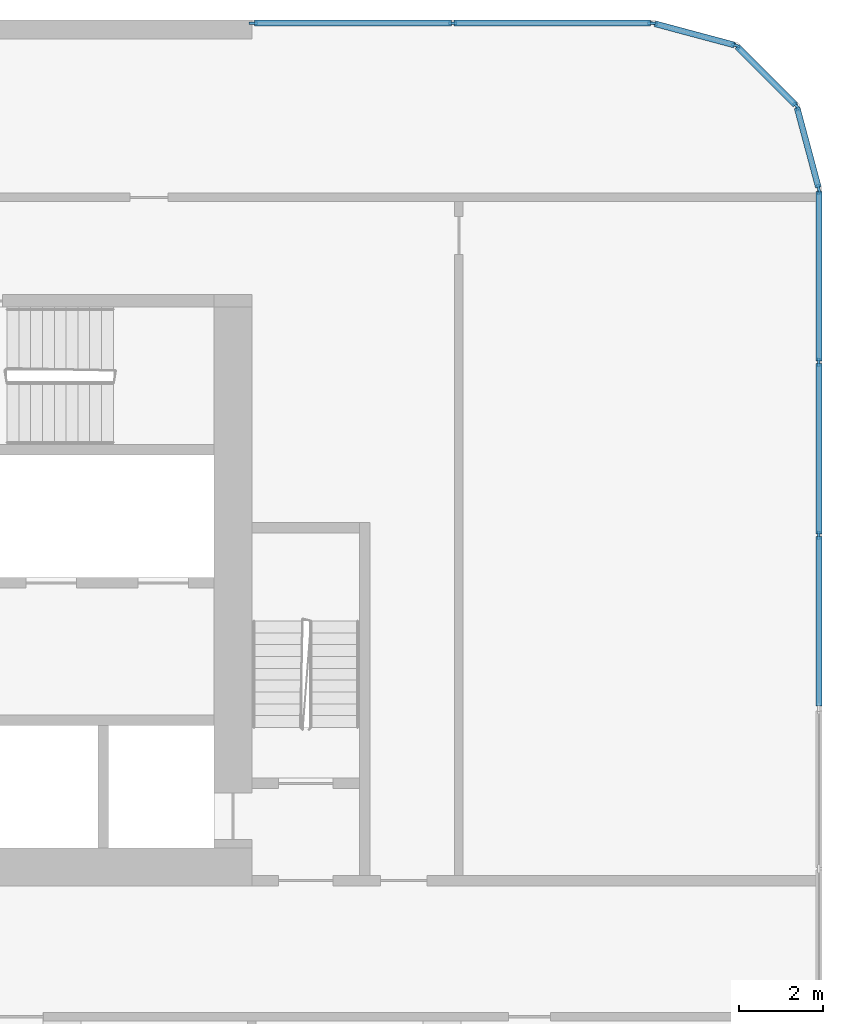
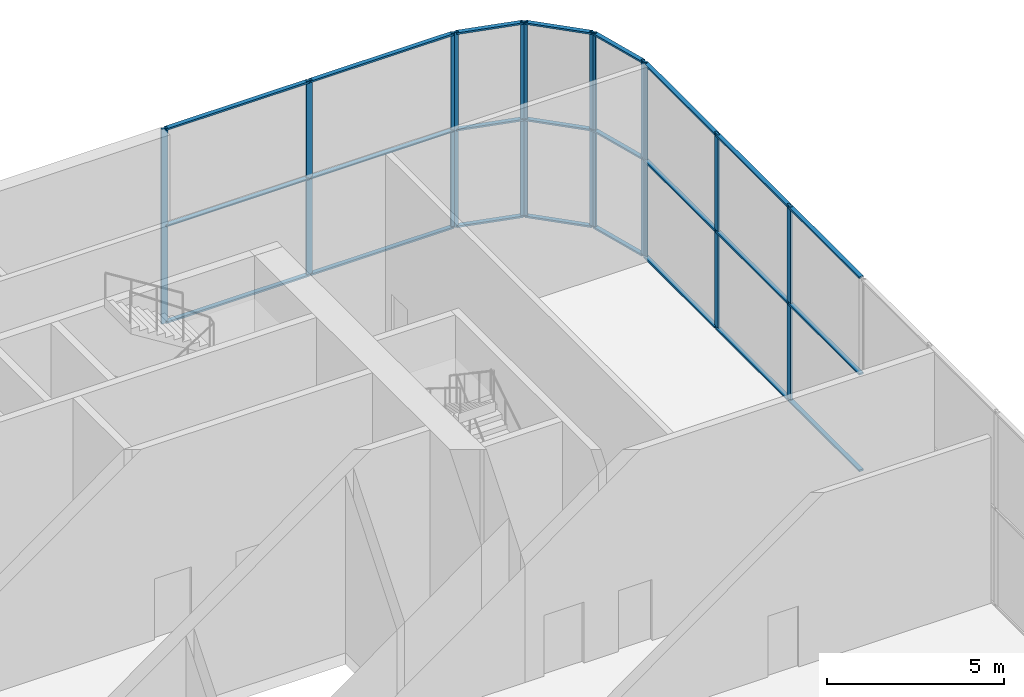
# One storey, part 8 of 23: 36 members, 5 elements without a shape of their own.
"""IFC4 building model written with IfcOpenShell, lengths in metres."""

from ifc_helpers import new_model, si_unit, direction, frame, origin, origin_2d, place, context, subcontext, project, spatial, rectangle, extrude, material, material_profile, profile_set, type_object, element, aggregate, save


model = new_model("IFC4")

# Units and contexts
model_context = context("Model", 3, precision=1e-05, world=origin(), true_north=direction((0.0, 1.0)))
body_context = subcontext(model_context, "Body", "Model", "MODEL_VIEW")
ifc_project = project(units=[si_unit("LENGTHUNIT", "METRE"), si_unit("AREAUNIT", "SQUARE_METRE"), si_unit("VOLUMEUNIT", "CUBIC_METRE"), si_unit("PLANEANGLEUNIT", "RADIAN"), si_unit("MASSUNIT", "GRAM", prefix="KILO")], contexts=[model_context])

# Site, building, storey
site_placement = place(None, origin())
site = spatial("IfcSite", under=ifc_project, at=site_placement, CompositionType="ELEMENT")
building_placement = place(site_placement, origin())
building = spatial("IfcBuilding", under=site, at=building_placement, Name="Kajstack Hotel Tower", CompositionType="ELEMENT")
storey_placement = place(building_placement, frame((0.0, 0.0, 53.0)))
storey = spatial("IfcBuildingStorey", under=building, at=storey_placement, Name="L08", CompositionType="ELEMENT", Elevation=53.0)

# Curtain wall, members
ifc_material_1 = material(Name="Aluminium-framed curtain wall, low-iron insulated glass", Category="aluminium")
curtain_wall_type = type_object("IfcCurtainWallType", Name="CW-GARDEN", PredefinedType="NOTDEFINED", material=ifc_material_1)
curtain_wall_1_placement = place(storey_placement, origin())
curtain_wall_1 = element("IfcCurtainWall", 1, at=curtain_wall_1_placement, inside=storey, type_object=curtain_wall_type, Name="Curtain wall CU6 L08-07-00-2", PredefinedType="NOTDEFINED")
ifc_material_2 = material(Name="Aluminium", Category="aluminium")
ifc_material_profile_1 = material_profile(ifc_material_2, rectangle(XDim=0.06005859375, YDim=0.199951171875, at=origin_2d()), Name="Aluminium mullion 60 x 200")
ifc_profile_set_1 = profile_set([ifc_material_profile_1], Name="Aluminium")
member_type_1 = type_object("IfcMemberType", Name="CW-M-GARDEN", PredefinedType="MULLION", material=ifc_profile_set_1)
member_1_placement = place(storey_placement, frame((44.925048828125, 9.800048828125, 0.0), z_axis=(0.0, 0.0, 1.0), x_axis=(-1.0, 0.0, 0.0)))
member_1 = element("IfcMember", 2, at=member_1_placement, type_object=member_type_1, Name="CU6 mullion 2", PredefinedType="MULLION", context=body_context, shape_type="SweptSolid", body=[
    extrude(rectangle(XDim=0.06005859375, YDim=0.199951171875, at=origin_2d()), origin(), (0.0, 0.0, 1.0), 6.719970703125),
])
member_2_placement = place(storey_placement, frame((44.925048828125, 13.89990234375, 0.0), z_axis=(0.0, 0.0, 1.0), x_axis=(-1.0, 0.0, 0.0)))
member_2 = element("IfcMember", 3, at=member_2_placement, type_object=member_type_1, Name="CU6 mullion 3", PredefinedType="MULLION", context=body_context, shape_type="SweptSolid", body=[
    extrude(rectangle(XDim=0.06005859375, YDim=0.199951171875, at=origin_2d()), origin(), (0.0, 0.0, 1.0), 6.719970703125),
])
member_3_placement = place(storey_placement, frame((44.925048828125, 17.969970703125, 0.0), z_axis=(0.0, 0.0, 1.0), x_axis=(-1.0, 0.0, 0.0)))
member_3 = element("IfcMember", 4, at=member_3_placement, type_object=member_type_1, Name="CU6 mullion 4", PredefinedType="MULLION", context=body_context, shape_type="SweptSolid", body=[
    extrude(rectangle(XDim=0.06005859375, YDim=0.199951171875, at=origin_2d()), origin(), (0.0, 0.0, 1.0), 6.719970703125),
])

curtain_wall_2_placement = place(storey_placement, origin())
curtain_wall_2 = element("IfcCurtainWall", 5, at=curtain_wall_2_placement, inside=storey, type_object=curtain_wall_type, Name="Curtain wall CU6 L08-08-00-0", PredefinedType="NOTDEFINED")
member_4_placement = place(storey_placement, frame((44.919677734375, 18.009521484375, 0.0), z_axis=(0.0, 0.0, 1.0), x_axis=(-0.965925631275, -0.258819772904, 0.0)))
member_4 = element("IfcMember", 6, at=member_4_placement, type_object=member_type_1, Name="CU6 mullion 1", PredefinedType="MULLION", context=body_context, shape_type="SweptSolid", body=[
    extrude(rectangle(XDim=0.06005859375, YDim=0.199951171875, at=origin_2d()), origin(), (0.0, 0.0, 1.0), 6.719970703125),
])
member_5_placement = place(storey_placement, frame((44.3994140625, 19.95166015625, 0.0), z_axis=(0.0, 0.0, 1.0), x_axis=(-0.965925631275, -0.258819772904, 0.0)))
member_5 = element("IfcMember", 7, at=member_5_placement, type_object=member_type_1, Name="CU6 mullion 2", PredefinedType="MULLION", context=body_context, shape_type="SweptSolid", body=[
    extrude(rectangle(XDim=0.06005859375, YDim=0.199951171875, at=origin_2d()), origin(), (0.0, 0.0, 1.0), 6.719970703125),
])

curtain_wall_3_placement = place(storey_placement, origin())
curtain_wall_3 = element("IfcCurtainWall", 8, at=curtain_wall_3_placement, inside=storey, type_object=curtain_wall_type, Name="Curtain wall CU6 L08-09-00-0", PredefinedType="NOTDEFINED")
member_6_placement = place(storey_placement, frame((44.389892578125, 19.96826171875, 0.0), z_axis=(0.0, 0.0, 1.0), x_axis=(-0.707106781187, -0.707106781187, 0.0)))
member_6 = element("IfcMember", 9, at=member_6_placement, type_object=member_type_1, Name="CU6 mullion 1", PredefinedType="MULLION", context=body_context, shape_type="SweptSolid", body=[
    extrude(rectangle(XDim=0.06005859375, YDim=0.199951171875, at=origin_2d()), origin(), (0.0, 0.0, 1.0), 6.719970703125),
])
member_7_placement = place(storey_placement, frame((42.96826171875, 21.389892578125, 0.0), z_axis=(0.0, 0.0, 1.0), x_axis=(-0.707106781187, -0.707106781187, 0.0)))
member_7 = element("IfcMember", 10, at=member_7_placement, type_object=member_type_1, Name="CU6 mullion 2", PredefinedType="MULLION", context=body_context, shape_type="SweptSolid", body=[
    extrude(rectangle(XDim=0.06005859375, YDim=0.199951171875, at=origin_2d()), origin(), (0.0, 0.0, 1.0), 6.719970703125),
])

curtain_wall_4_placement = place(storey_placement, origin())
curtain_wall_4 = element("IfcCurtainWall", 11, at=curtain_wall_4_placement, inside=storey, type_object=curtain_wall_type, Name="Curtain wall CU6 L08-10-00-0", PredefinedType="NOTDEFINED")
member_8_placement = place(storey_placement, frame((42.95166015625, 21.3994140625, 0.0), z_axis=(0.0, 0.0, 1.0), x_axis=(-0.258819772904, -0.965925631275, 0.0)))
member_8 = element("IfcMember", 12, at=member_8_placement, type_object=member_type_1, Name="CU6 mullion 1", PredefinedType="MULLION", context=body_context, shape_type="SweptSolid", body=[
    extrude(rectangle(XDim=0.06005859375, YDim=0.199951171875, at=origin_2d()), origin(), (0.0, 0.0, 1.0), 6.719970703125),
])
member_9_placement = place(storey_placement, frame((41.009521484375, 21.919677734375, 0.0), z_axis=(0.0, 0.0, 1.0), x_axis=(-0.258819772904, -0.965925631275, 0.0)))
member_9 = element("IfcMember", 13, at=member_9_placement, type_object=member_type_1, Name="CU6 mullion 2", PredefinedType="MULLION", context=body_context, shape_type="SweptSolid", body=[
    extrude(rectangle(XDim=0.06005859375, YDim=0.199951171875, at=origin_2d()), origin(), (0.0, 0.0, 1.0), 6.719970703125),
])

curtain_wall_5_placement = place(storey_placement, origin())
curtain_wall_5 = element("IfcCurtainWall", 14, at=curtain_wall_5_placement, inside=storey, type_object=curtain_wall_type, Name="Curtain wall CU6 L08-11-00-0", PredefinedType="NOTDEFINED")
member_10_placement = place(storey_placement, frame((40.969970703125, 21.925048828125, 0.0), z_axis=(0.0, 0.0, 1.0), x_axis=(0.0, -1.0, 0.0)))
member_10 = element("IfcMember", 15, at=member_10_placement, type_object=member_type_1, Name="CU6 mullion 1", PredefinedType="MULLION", context=body_context, shape_type="SweptSolid", body=[
    extrude(rectangle(XDim=0.06005859375, YDim=0.199951171875, at=origin_2d()), origin(), (0.0, 0.0, 1.0), 6.719970703125),
])
member_11_placement = place(storey_placement, frame((36.25, 21.925048828125, 0.0), z_axis=(0.0, 0.0, 1.0), x_axis=(0.0, -1.0, 0.0)))
member_11 = element("IfcMember", 16, at=member_11_placement, type_object=member_type_1, Name="CU6 mullion 2", PredefinedType="MULLION", context=body_context, shape_type="SweptSolid", body=[
    extrude(rectangle(XDim=0.06005859375, YDim=0.199951171875, at=origin_2d()), origin(), (0.0, 0.0, 1.0), 6.719970703125),
])
member_12_placement = place(storey_placement, frame((31.530029296875, 21.925048828125, 0.0), z_axis=(0.0, 0.0, 1.0), x_axis=(0.0, -1.0, 0.0)))
member_12 = element("IfcMember", 17, at=member_12_placement, type_object=member_type_1, Name="CU6 mullion 3", PredefinedType="MULLION", context=body_context, shape_type="SweptSolid", body=[
    extrude(rectangle(XDim=0.06005859375, YDim=0.199951171875, at=origin_2d()), origin(), (0.0, 0.0, 1.0), 6.719970703125),
])

# Member
ifc_material_profile_2 = material_profile(ifc_material_2, rectangle(XDim=0.139892578125, YDim=0.06005859375, at=origin_2d()), Name="Aluminium transom 140 x 60")
ifc_profile_set_2 = profile_set([ifc_material_profile_2], Name="Aluminium")
member_type_2 = type_object("IfcMemberType", Name="CW-T-GARDEN", PredefinedType="USERDEFINED", material=ifc_profile_set_2)
member_13_placement = place(storey_placement, frame((44.925048828125, 5.760009765625, 0.030029296875), z_axis=(0.0, 1.0, 0.0), x_axis=(-1.0, 0.0, 0.0)))
member_13 = element("IfcMember", 18, at=member_13_placement, type_object=member_type_2, Name="CU6 transom 1.1", ObjectType="TRANSOM", PredefinedType="USERDEFINED", context=body_context, shape_type="SweptSolid", body=[
    extrude(rectangle(XDim=0.139892578125, YDim=0.06005859375, at=origin_2d()), origin(), (0.0, 0.0, 1.0), 4.010009765625),
])

member_14_placement = place(storey_placement, frame((44.925048828125, 5.760009765625, 3.360107421875), z_axis=(0.0, 1.0, 0.0), x_axis=(-1.0, 0.0, 0.0)))
member_14 = element("IfcMember", 19, at=member_14_placement, type_object=member_type_2, Name="CU6 transom 1.2", ObjectType="TRANSOM", PredefinedType="USERDEFINED", context=body_context, shape_type="SweptSolid", body=[
    extrude(rectangle(XDim=0.139892578125, YDim=0.06005859375, at=origin_2d()), origin(), (0.0, 0.0, 1.0), 4.010009765625),
])

member_15_placement = place(storey_placement, frame((44.925048828125, 5.760009765625, 6.68994140625), z_axis=(0.0, 1.0, 0.0), x_axis=(-1.0, 0.0, 0.0)))
member_15 = element("IfcMember", 20, at=member_15_placement, type_object=member_type_2, Name="CU6 transom 1.3", ObjectType="TRANSOM", PredefinedType="USERDEFINED", context=body_context, shape_type="SweptSolid", body=[
    extrude(rectangle(XDim=0.139892578125, YDim=0.06005859375, at=origin_2d()), origin(), (0.0, 0.0, 1.0), 4.010009765625),
])

member_16_placement = place(storey_placement, frame((44.925048828125, 9.830078125, 0.030029296875), z_axis=(0.0, 1.0, 0.0), x_axis=(-1.0, 0.0, 0.0)))
member_16 = element("IfcMember", 21, at=member_16_placement, type_object=member_type_2, Name="CU6 transom 2.1", ObjectType="TRANSOM", PredefinedType="USERDEFINED", context=body_context, shape_type="SweptSolid", body=[
    extrude(rectangle(XDim=0.139892578125, YDim=0.06005859375, at=origin_2d()), origin(), (0.0, 0.0, 1.0), 4.0400390625),
])

member_17_placement = place(storey_placement, frame((44.925048828125, 9.830078125, 3.360107421875), z_axis=(0.0, 1.0, 0.0), x_axis=(-1.0, 0.0, 0.0)))
member_17 = element("IfcMember", 22, at=member_17_placement, type_object=member_type_2, Name="CU6 transom 2.2", ObjectType="TRANSOM", PredefinedType="USERDEFINED", context=body_context, shape_type="SweptSolid", body=[
    extrude(rectangle(XDim=0.139892578125, YDim=0.06005859375, at=origin_2d()), origin(), (0.0, 0.0, 1.0), 4.0400390625),
])

member_18_placement = place(storey_placement, frame((44.925048828125, 9.830078125, 6.68994140625), z_axis=(0.0, 1.0, 0.0), x_axis=(-1.0, 0.0, 0.0)))
member_18 = element("IfcMember", 23, at=member_18_placement, type_object=member_type_2, Name="CU6 transom 2.3", ObjectType="TRANSOM", PredefinedType="USERDEFINED", context=body_context, shape_type="SweptSolid", body=[
    extrude(rectangle(XDim=0.139892578125, YDim=0.06005859375, at=origin_2d()), origin(), (0.0, 0.0, 1.0), 4.0400390625),
])

member_19_placement = place(storey_placement, frame((44.925048828125, 13.929931640625, 0.030029296875), z_axis=(0.0, 1.0, 0.0), x_axis=(-1.0, 0.0, 0.0)))
member_19 = element("IfcMember", 24, at=member_19_placement, type_object=member_type_2, Name="CU6 transom 3.1", ObjectType="TRANSOM", PredefinedType="USERDEFINED", context=body_context, shape_type="SweptSolid", body=[
    extrude(rectangle(XDim=0.139892578125, YDim=0.06005859375, at=origin_2d()), origin(), (0.0, 0.0, 1.0), 4.010009765625),
])

member_20_placement = place(storey_placement, frame((44.925048828125, 13.929931640625, 3.360107421875), z_axis=(0.0, 1.0, 0.0), x_axis=(-1.0, 0.0, 0.0)))
member_20 = element("IfcMember", 25, at=member_20_placement, type_object=member_type_2, Name="CU6 transom 3.2", ObjectType="TRANSOM", PredefinedType="USERDEFINED", context=body_context, shape_type="SweptSolid", body=[
    extrude(rectangle(XDim=0.139892578125, YDim=0.06005859375, at=origin_2d()), origin(), (0.0, 0.0, 1.0), 4.010009765625),
])

member_21_placement = place(storey_placement, frame((44.925048828125, 13.929931640625, 6.68994140625), z_axis=(0.0, 1.0, 0.0), x_axis=(-1.0, 0.0, 0.0)))
member_21 = element("IfcMember", 26, at=member_21_placement, type_object=member_type_2, Name="CU6 transom 3.3", ObjectType="TRANSOM", PredefinedType="USERDEFINED", context=body_context, shape_type="SweptSolid", body=[
    extrude(rectangle(XDim=0.139892578125, YDim=0.06005859375, at=origin_2d()), origin(), (0.0, 0.0, 1.0), 4.010009765625),
])

aggregate(curtain_wall_1, [member_1, member_2, member_3, member_13, member_14, member_15, member_16, member_17, member_18, member_19, member_20, member_21])

member_22_placement = place(storey_placement, frame((44.912109375, 18.03857421875, 0.030029296875), z_axis=(-0.258846615355, 0.96591843844, 0.0), x_axis=(-0.96591843844, -0.258846615355, 0.0)))
member_22 = element("IfcMember", 27, at=member_22_placement, type_object=member_type_2, Name="CU6 transom 1.1", ObjectType="TRANSOM", PredefinedType="USERDEFINED", context=body_context, shape_type="SweptSolid", body=[
    extrude(rectangle(XDim=0.139892578125, YDim=0.06005859375, at=origin_2d()), origin(), (0.0, 0.0, 1.0), 1.950439453125),
])

member_23_placement = place(storey_placement, frame((44.912109375, 18.03857421875, 3.360107421875), z_axis=(-0.258846615355, 0.96591843844, 0.0), x_axis=(-0.96591843844, -0.258846615355, 0.0)))
member_23 = element("IfcMember", 28, at=member_23_placement, type_object=member_type_2, Name="CU6 transom 1.2", ObjectType="TRANSOM", PredefinedType="USERDEFINED", context=body_context, shape_type="SweptSolid", body=[
    extrude(rectangle(XDim=0.139892578125, YDim=0.06005859375, at=origin_2d()), origin(), (0.0, 0.0, 1.0), 1.950439453125),
])

member_24_placement = place(storey_placement, frame((44.912109375, 18.03857421875, 6.68994140625), z_axis=(-0.258846615355, 0.96591843844, 0.0), x_axis=(-0.96591843844, -0.258846615355, 0.0)))
member_24 = element("IfcMember", 29, at=member_24_placement, type_object=member_type_2, Name="CU6 transom 1.3", ObjectType="TRANSOM", PredefinedType="USERDEFINED", context=body_context, shape_type="SweptSolid", body=[
    extrude(rectangle(XDim=0.139892578125, YDim=0.06005859375, at=origin_2d()), origin(), (0.0, 0.0, 1.0), 1.950439453125),
])

aggregate(curtain_wall_2, [member_4, member_5, member_22, member_23, member_24])

member_25_placement = place(storey_placement, frame((44.36865234375, 19.989501953125, 0.030029296875), z_axis=(-0.707106781187, 0.707106781187, 0.0), x_axis=(-0.707106781187, -0.707106781187, 0.0)))
member_25 = element("IfcMember", 30, at=member_25_placement, type_object=member_type_2, Name="CU6 transom 1.1", ObjectType="TRANSOM", PredefinedType="USERDEFINED", context=body_context, shape_type="SweptSolid", body=[
    extrude(rectangle(XDim=0.139892578125, YDim=0.06005859375, at=origin_2d()), origin(), (0.0, 0.0, 1.0), 1.950439453125),
])

member_26_placement = place(storey_placement, frame((44.36865234375, 19.989501953125, 3.360107421875), z_axis=(-0.707106781187, 0.707106781187, 0.0), x_axis=(-0.707106781187, -0.707106781187, 0.0)))
member_26 = element("IfcMember", 31, at=member_26_placement, type_object=member_type_2, Name="CU6 transom 1.2", ObjectType="TRANSOM", PredefinedType="USERDEFINED", context=body_context, shape_type="SweptSolid", body=[
    extrude(rectangle(XDim=0.139892578125, YDim=0.06005859375, at=origin_2d()), origin(), (0.0, 0.0, 1.0), 1.950439453125),
])

member_27_placement = place(storey_placement, frame((44.36865234375, 19.989501953125, 6.68994140625), z_axis=(-0.707106781187, 0.707106781187, 0.0), x_axis=(-0.707106781187, -0.707106781187, 0.0)))
member_27 = element("IfcMember", 32, at=member_27_placement, type_object=member_type_2, Name="CU6 transom 1.3", ObjectType="TRANSOM", PredefinedType="USERDEFINED", context=body_context, shape_type="SweptSolid", body=[
    extrude(rectangle(XDim=0.139892578125, YDim=0.06005859375, at=origin_2d()), origin(), (0.0, 0.0, 1.0), 1.950439453125),
])

aggregate(curtain_wall_3, [member_6, member_7, member_25, member_26, member_27])

member_28_placement = place(storey_placement, frame((42.922607421875, 21.4072265625, 0.030029296875), z_axis=(-0.96591843844, 0.258846615355, 0.0), x_axis=(-0.258846615355, -0.96591843844, 0.0)))
member_28 = element("IfcMember", 33, at=member_28_placement, type_object=member_type_2, Name="CU6 transom 1.1", ObjectType="TRANSOM", PredefinedType="USERDEFINED", context=body_context, shape_type="SweptSolid", body=[
    extrude(rectangle(XDim=0.139892578125, YDim=0.06005859375, at=origin_2d()), origin(), (0.0, 0.0, 1.0), 1.950439453125),
])

member_29_placement = place(storey_placement, frame((42.922607421875, 21.4072265625, 3.360107421875), z_axis=(-0.96591843844, 0.258846615355, 0.0), x_axis=(-0.258846615355, -0.96591843844, 0.0)))
member_29 = element("IfcMember", 34, at=member_29_placement, type_object=member_type_2, Name="CU6 transom 1.2", ObjectType="TRANSOM", PredefinedType="USERDEFINED", context=body_context, shape_type="SweptSolid", body=[
    extrude(rectangle(XDim=0.139892578125, YDim=0.06005859375, at=origin_2d()), origin(), (0.0, 0.0, 1.0), 1.950439453125),
])

member_30_placement = place(storey_placement, frame((42.922607421875, 21.4072265625, 6.68994140625), z_axis=(-0.96591843844, 0.258846615355, 0.0), x_axis=(-0.258846615355, -0.96591843844, 0.0)))
member_30 = element("IfcMember", 35, at=member_30_placement, type_object=member_type_2, Name="CU6 transom 1.3", ObjectType="TRANSOM", PredefinedType="USERDEFINED", context=body_context, shape_type="SweptSolid", body=[
    extrude(rectangle(XDim=0.139892578125, YDim=0.06005859375, at=origin_2d()), origin(), (0.0, 0.0, 1.0), 1.950439453125),
])

aggregate(curtain_wall_4, [member_8, member_9, member_28, member_29, member_30])

member_31_placement = place(storey_placement, frame((40.93994140625, 21.925048828125, 0.030029296875), z_axis=(-1.0, 0.0, 0.0), x_axis=(0.0, -1.0, 0.0)))
member_31 = element("IfcMember", 36, at=member_31_placement, type_object=member_type_2, Name="CU6 transom 1.1", ObjectType="TRANSOM", PredefinedType="USERDEFINED", context=body_context, shape_type="SweptSolid", body=[
    extrude(rectangle(XDim=0.139892578125, YDim=0.06005859375, at=origin_2d()), origin(), (0.0, 0.0, 1.0), 4.659912109375),
])

member_32_placement = place(storey_placement, frame((40.93994140625, 21.925048828125, 3.360107421875), z_axis=(-1.0, 0.0, 0.0), x_axis=(0.0, -1.0, 0.0)))
member_32 = element("IfcMember", 37, at=member_32_placement, type_object=member_type_2, Name="CU6 transom 1.2", ObjectType="TRANSOM", PredefinedType="USERDEFINED", context=body_context, shape_type="SweptSolid", body=[
    extrude(rectangle(XDim=0.139892578125, YDim=0.06005859375, at=origin_2d()), origin(), (0.0, 0.0, 1.0), 4.659912109375),
])

member_33_placement = place(storey_placement, frame((40.93994140625, 21.925048828125, 6.68994140625), z_axis=(-1.0, 0.0, 0.0), x_axis=(0.0, -1.0, 0.0)))
member_33 = element("IfcMember", 38, at=member_33_placement, type_object=member_type_2, Name="CU6 transom 1.3", ObjectType="TRANSOM", PredefinedType="USERDEFINED", context=body_context, shape_type="SweptSolid", body=[
    extrude(rectangle(XDim=0.139892578125, YDim=0.06005859375, at=origin_2d()), origin(), (0.0, 0.0, 1.0), 4.659912109375),
])

member_34_placement = place(storey_placement, frame((36.219970703125, 21.925048828125, 0.030029296875), z_axis=(-1.0, 0.0, 0.0), x_axis=(0.0, -1.0, 0.0)))
member_34 = element("IfcMember", 39, at=member_34_placement, type_object=member_type_2, Name="CU6 transom 2.1", ObjectType="TRANSOM", PredefinedType="USERDEFINED", context=body_context, shape_type="SweptSolid", body=[
    extrude(rectangle(XDim=0.139892578125, YDim=0.06005859375, at=origin_2d()), origin(), (0.0, 0.0, 1.0), 4.659912109375),
])

member_35_placement = place(storey_placement, frame((36.219970703125, 21.925048828125, 3.360107421875), z_axis=(-1.0, 0.0, 0.0), x_axis=(0.0, -1.0, 0.0)))
member_35 = element("IfcMember", 40, at=member_35_placement, type_object=member_type_2, Name="CU6 transom 2.2", ObjectType="TRANSOM", PredefinedType="USERDEFINED", context=body_context, shape_type="SweptSolid", body=[
    extrude(rectangle(XDim=0.139892578125, YDim=0.06005859375, at=origin_2d()), origin(), (0.0, 0.0, 1.0), 4.659912109375),
])

member_36_placement = place(storey_placement, frame((36.219970703125, 21.925048828125, 6.68994140625), z_axis=(-1.0, 0.0, 0.0), x_axis=(0.0, -1.0, 0.0)))
member_36 = element("IfcMember", 41, at=member_36_placement, type_object=member_type_2, Name="CU6 transom 2.3", ObjectType="TRANSOM", PredefinedType="USERDEFINED", context=body_context, shape_type="SweptSolid", body=[
    extrude(rectangle(XDim=0.139892578125, YDim=0.06005859375, at=origin_2d()), origin(), (0.0, 0.0, 1.0), 4.659912109375),
])

aggregate(curtain_wall_5, [member_10, member_11, member_12, member_31, member_32, member_33, member_34, member_35, member_36])

save(model, "model.ifc")
